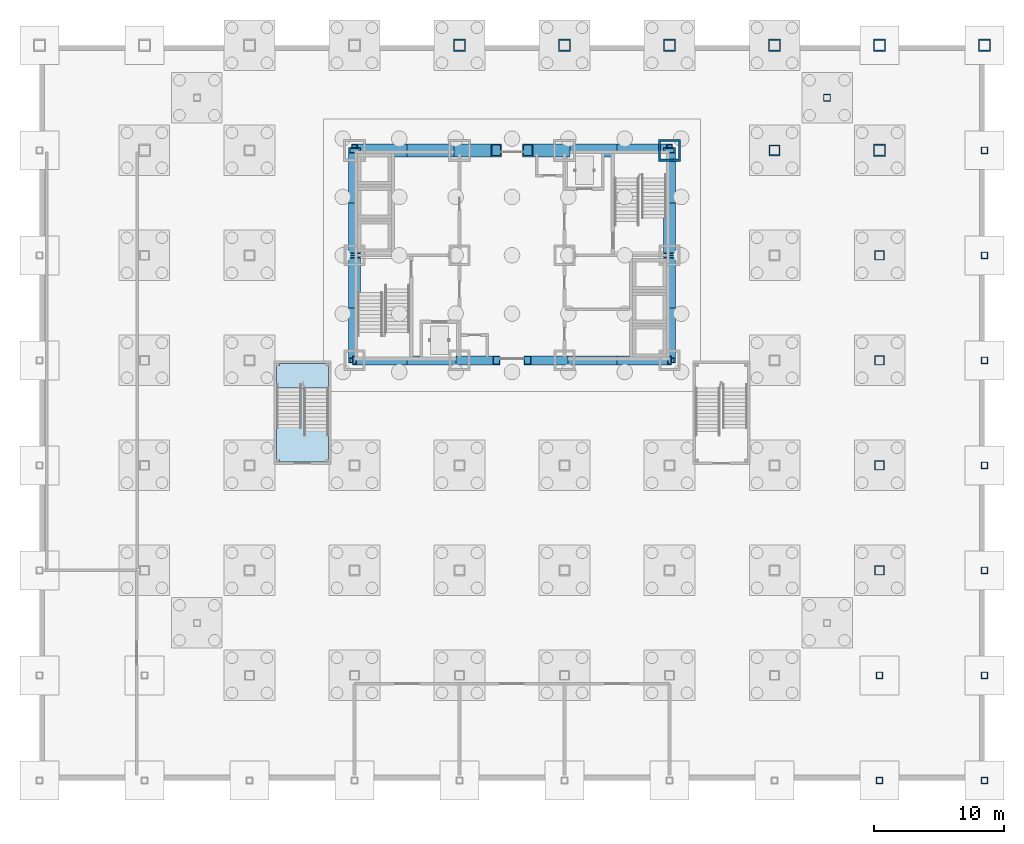
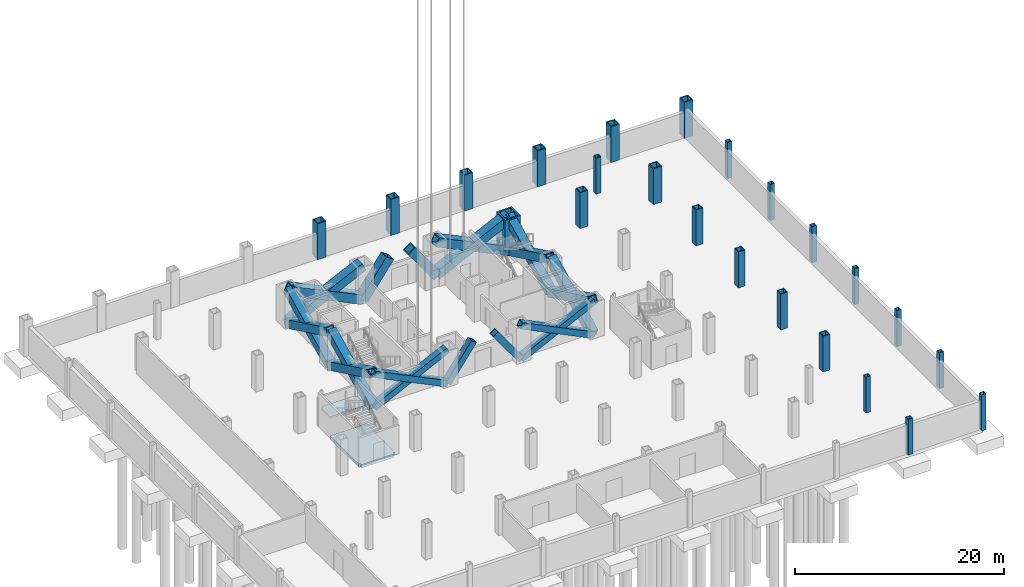
# One storey, part 10 of 17: 23 columns, 20 members, 2 slabs, 1 element without a shape of its own.
"""IFC4 building model written with IfcOpenShell, lengths in metres."""

from ifc_helpers import new_model, si_unit, direction, frame, origin, origin_2d, place, context, subcontext, project, spatial, polyline, hollow_rectangle, outline, extrude, material, layer, layer_set, material_profile, profile_set, type_object, element, aggregate, save


model = new_model("IFC4")

# Units and contexts
model_context = context("Model", 3, precision=1e-05, world=origin(), true_north=direction((0.0, 1.0)))
body_context = subcontext(model_context, "Body", "Model", "MODEL_VIEW")
ifc_project = project(units=[si_unit("LENGTHUNIT", "METRE"), si_unit("AREAUNIT", "SQUARE_METRE"), si_unit("VOLUMEUNIT", "CUBIC_METRE"), si_unit("PLANEANGLEUNIT", "RADIAN"), si_unit("MASSUNIT", "GRAM", prefix="KILO")], contexts=[model_context])

# Site, building, storey
site_placement = place(None, origin())
site = spatial("IfcSite", under=ifc_project, at=site_placement, CompositionType="ELEMENT")
building_placement = place(site_placement, origin())
building = spatial("IfcBuilding", under=site, at=building_placement, Name="Kopane Lantern Tower", CompositionType="ELEMENT")
storey_placement = place(building_placement, frame((0.0, 0.0, -8.39990234375)))
storey = spatial("IfcBuildingStorey", under=building, at=storey_placement, Name="L-02", CompositionType="ELEMENT", Elevation=-8.39990234375)

# Columns
ifc_material_1 = material(Name="Steel S355JR", Category="steel")
ifc_material_profile_1 = material_profile(ifc_material_1, hollow_rectangle(XDim=1.699951171875, YDim=1.699951171875, WallThickness=0.159912109375, at=origin_2d()), Name="BOX 1700x1700x160")
ifc_profile_set_1 = profile_set([ifc_material_profile_1], Name="Steel S355JR")
column_type_1 = type_object("IfcColumnType", Name="COLUMN BOX 1700x1700x160", PredefinedType="COLUMN", material=ifc_profile_set_1)
column_1_placement = place(storey_placement, frame((40.5, 40.5, 0.0), z_axis=(0.0, 0.0, 1.0), x_axis=(1.0, 0.0, 0.0)))
element("IfcColumn", 1, at=column_1_placement, inside=storey, type_object=column_type_1, Name="Column 7/G L-02", PredefinedType="COLUMN", context=body_context, shape_type="SweptSolid", body=[
    extrude(hollow_rectangle(XDim=1.699951171875, YDim=1.699951171875, WallThickness=0.159912109375, at=origin_2d()), origin(), (0.0, 0.0, 1.0), 4.199951171875),
])
ifc_material_2 = material(Name="Steel S355JR", Category="steel")
ifc_material_profile_2 = material_profile(ifc_material_2, hollow_rectangle(XDim=0.5, YDim=0.5, WallThickness=0.030029296875, at=origin_2d()), Name="BOX 500x500x30")
ifc_profile_set_2 = profile_set([ifc_material_profile_2], Name="Steel S355JR")
column_type_2 = type_object("IfcColumnType", Name="COLUMN BOX 500x500x30", PredefinedType="COLUMN", material=ifc_profile_set_2)
for number, where, z_axis, x_axis, name in (
    (2, (56.699951171875, -8.10009765625, 0.0), (0.0, 0.0, 1.0), (1.0, 0.0, 0.0), "Column 9/A L-02"),
    (3, (56.699951171875, 0.0, 0.0), (0.0, 0.0, 1.0), (1.0, 0.0, 0.0), "Column 9/B L-02"),
    (4, (64.800048828125, -8.10009765625, 0.0), (0.0, 0.0, 1.0), (1.0, 0.0, 0.0), "Column 10/A L-02"),
    (5, (64.800048828125, 0.0, 0.0), (0.0, 0.0, 1.0), (1.0, 0.0, 0.0), "Column 10/B L-02"),
    (6, (64.800048828125, 8.10009765625, 0.0), (0.0, 0.0, 1.0), (1.0, 0.0, 0.0), "Column 10/C L-02"),
    (7, (64.800048828125, 16.199951171875, 0.0), (0.0, 0.0, 1.0), (1.0, 0.0, 0.0), "Column 10/D L-02"),
    (8, (64.800048828125, 24.300048828125, 0.0), (0.0, 0.0, 1.0), (1.0, 0.0, 0.0), "Column 10/E L-02"),
    (9, (64.800048828125, 32.39990234375, 0.0), (0.0, 0.0, 1.0), (1.0, 0.0, 0.0), "Column 10/F L-02"),
    (10, (64.800048828125, 40.5, 0.0), (0.0, 0.0, 1.0), (1.0, 0.0, 0.0), "Column 10/G L-02"),
):
    element("IfcColumn", number, at=place(storey_placement, frame(where, z_axis=z_axis, x_axis=x_axis)), inside=storey, type_object=column_type_2, Name=name, PredefinedType="COLUMN", context=body_context, shape_type="SweptSolid", body=[
        extrude(hollow_rectangle(XDim=0.5, YDim=0.5, WallThickness=0.030029296875, at=origin_2d()), origin(), (0.0, 0.0, 1.0), 4.199951171875),
    ])
ifc_material_3 = material(Name="Steel S355JR", Category="steel")
ifc_material_profile_3 = material_profile(ifc_material_3, hollow_rectangle(XDim=0.550048828125, YDim=0.550048828125, WallThickness=0.050048828125, at=origin_2d()), Name="BOX 550x550x50")
ifc_profile_set_3 = profile_set([ifc_material_profile_3], Name="Steel S355JR")
column_type_3 = type_object("IfcColumnType", Name="COLUMN BOX 550x550x50", PredefinedType="COLUMN", material=ifc_profile_set_3)
column_2_placement = place(storey_placement, frame((52.64990234375, 44.550048828125, 0.0), z_axis=(0.0, 0.0, 1.0), x_axis=(1.0, 0.0, 0.0)))
element("IfcColumn", 11, at=column_2_placement, inside=storey, type_object=column_type_3, Name="Column 52.65/44.55 L-02", PredefinedType="COLUMN", context=body_context, shape_type="SweptSolid", body=[
    extrude(hollow_rectangle(XDim=0.550048828125, YDim=0.550048828125, WallThickness=0.050048828125, at=origin_2d()), origin(), (0.0, 0.0, 1.0), 4.199951171875),
])
ifc_material_4 = material(Name="Steel S355JR", Category="steel")
ifc_material_profile_4 = material_profile(ifc_material_4, hollow_rectangle(XDim=0.75, YDim=0.75, WallThickness=0.070068359375, at=origin_2d()), Name="BOX 750x750x70")
ifc_profile_set_4 = profile_set([ifc_material_profile_4], Name="Steel S355JR")
column_type_4 = type_object("IfcColumnType", Name="COLUMN BOX 750x750x70", PredefinedType="COLUMN", material=ifc_profile_set_4)
for number, where, z_axis, x_axis, name in (
    (12, (56.699951171875, 8.10009765625, 0.0), (0.0, 0.0, 1.0), (1.0, 0.0, 0.0), "Column 9/C L-02"),
    (13, (56.699951171875, 16.199951171875, 0.0), (0.0, 0.0, 1.0), (1.0, 0.0, 0.0), "Column 9/D L-02"),
    (14, (56.699951171875, 24.300048828125, 0.0), (0.0, 0.0, 1.0), (1.0, 0.0, 0.0), "Column 9/E L-02"),
    (15, (56.699951171875, 32.39990234375, 0.0), (0.0, 0.0, 1.0), (1.0, 0.0, 0.0), "Column 9/F L-02"),
):
    element("IfcColumn", number, at=place(storey_placement, frame(where, z_axis=z_axis, x_axis=x_axis)), inside=storey, type_object=column_type_4, Name=name, PredefinedType="COLUMN", context=body_context, shape_type="SweptSolid", body=[
        extrude(hollow_rectangle(XDim=0.75, YDim=0.75, WallThickness=0.070068359375, at=origin_2d()), origin(), (0.0, 0.0, 1.0), 4.199951171875),
    ])
ifc_material_5 = material(Name="Steel S355JR", Category="steel")
ifc_material_profile_5 = material_profile(ifc_material_5, hollow_rectangle(XDim=0.85009765625, YDim=0.85009765625, WallThickness=0.0849609375, at=origin_2d()), Name="BOX 850x850x85")
ifc_profile_set_5 = profile_set([ifc_material_profile_5], Name="Steel S355JR")
column_type_5 = type_object("IfcColumnType", Name="COLUMN BOX 850x850x85", PredefinedType="COLUMN", material=ifc_profile_set_5)
column_3_placement = place(storey_placement, frame((48.60009765625, 40.5, 0.0), z_axis=(0.0, 0.0, 1.0), x_axis=(1.0, 0.0, 0.0)))
element("IfcColumn", 16, at=column_3_placement, inside=storey, type_object=column_type_5, Name="Column 8/G L-02", PredefinedType="COLUMN", context=body_context, shape_type="SweptSolid", body=[
    extrude(hollow_rectangle(XDim=0.85009765625, YDim=0.85009765625, WallThickness=0.0849609375, at=origin_2d()), origin(), (0.0, 0.0, 1.0), 4.199951171875),
])
ifc_material_6 = material(Name="Steel S355JR", Category="steel")
ifc_material_profile_6 = material_profile(ifc_material_6, hollow_rectangle(XDim=0.949951171875, YDim=0.949951171875, WallThickness=0.10009765625, at=origin_2d()), Name="BOX 950x950x100")
ifc_profile_set_6 = profile_set([ifc_material_profile_6], Name="Steel S355JR")
column_type_6 = type_object("IfcColumnType", Name="COLUMN BOX 950x950x100", PredefinedType="COLUMN", material=ifc_profile_set_6)
for number, where, z_axis, x_axis, name in (
    (17, (24.300048828125, 48.60009765625, 0.0), (0.0, 0.0, 1.0), (1.0, 0.0, 0.0), "Column 5/H L-02"),
    (18, (32.39990234375, 48.60009765625, 0.0), (0.0, 0.0, 1.0), (1.0, 0.0, 0.0), "Column 6/H L-02"),
    (19, (40.5, 48.60009765625, 0.0), (0.0, 0.0, 1.0), (1.0, 0.0, 0.0), "Column 7/H L-02"),
    (20, (48.60009765625, 48.60009765625, 0.0), (0.0, 0.0, 1.0), (1.0, 0.0, 0.0), "Column 8/H L-02"),
    (21, (56.699951171875, 40.5, 0.0), (0.0, 0.0, 1.0), (1.0, 0.0, 0.0), "Column 9/G L-02"),
    (22, (56.699951171875, 48.60009765625, 0.0), (0.0, 0.0, 1.0), (1.0, 0.0, 0.0), "Column 9/H L-02"),
    (23, (64.800048828125, 48.60009765625, 0.0), (0.0, 0.0, 1.0), (1.0, 0.0, 0.0), "Column 10/H L-02"),
):
    element("IfcColumn", number, at=place(storey_placement, frame(where, z_axis=z_axis, x_axis=x_axis)), inside=storey, type_object=column_type_6, Name=name, PredefinedType="COLUMN", context=body_context, shape_type="SweptSolid", body=[
        extrude(hollow_rectangle(XDim=0.949951171875, YDim=0.949951171875, WallThickness=0.10009765625, at=origin_2d()), origin(), (0.0, 0.0, 1.0), 4.199951171875),
    ])

# Members
ifc_material_7 = material(Name="Steel S355JR", Category="steel")
ifc_material_profile_7 = material_profile(ifc_material_7, hollow_rectangle(XDim=1.0, YDim=1.0, WallThickness=0.10009765625, at=origin_2d()), Name="BOX 1000x1000x100")
ifc_profile_set_7 = profile_set([ifc_material_profile_7], Name="Steel S355JR")
member_type_1 = type_object("IfcMemberType", Name="BRACE BOX 1000x1000x100", PredefinedType="BRACE", material=ifc_profile_set_7)
for number, where, z_axis, x_axis, name in (
    (24, (16.199951171875, 40.5, 0.0693359375), (0.901845597752, 0.0, 0.432058465738), (0.0, 1.0, 0.0), "Core brace L-02"),
    (25, (24.300048828125, 40.5, 0.0693359375), (-0.901845597752, 0.0, 0.432058465738), (0.0, -1.0, 0.0), "Core brace L-02"),
):
    element("IfcMember", number, at=place(storey_placement, frame(where, z_axis=z_axis, x_axis=x_axis)), inside=storey, type_object=member_type_1, Name=name, PredefinedType="BRACE", context=body_context, shape_type="SweptSolid", body=[
        extrude(hollow_rectangle(XDim=1.0, YDim=1.0, WallThickness=0.10009765625, at=origin_2d()), origin(), (0.0, 0.0, 1.0), 8.981689453125),
    ])
for number, where, z_axis, x_axis, name in (
    (26, (24.300048828125, 40.5, 0.0), (0.585100675865, 0.0, 0.810960664338), (0.0, 1.0, 0.0), "Core brace L-02"),
    (27, (32.39990234375, 40.5, 0.0), (-0.585100675865, 0.0, 0.810960664338), (0.0, -1.0, 0.0), "Core brace L-02"),
):
    element("IfcMember", number, at=place(storey_placement, frame(where, z_axis=z_axis, x_axis=x_axis)), inside=storey, type_object=member_type_1, Name=name, PredefinedType="BRACE", context=body_context, shape_type="SweptSolid", body=[
        extrude(hollow_rectangle(XDim=1.0, YDim=1.0, WallThickness=0.10009765625, at=origin_2d()), origin(), (0.0, 0.0, 1.0), 4.87060546875),
    ])
for number, where, z_axis, x_axis, name in (
    (28, (32.39990234375, 40.5, 0.0693359375), (0.901845597752, 0.0, 0.432058465738), (0.0, 1.0, 0.0), "Core brace L-02"),
    (29, (40.5, 40.5, 0.0693359375), (-0.901845597752, 0.0, 0.432058465738), (0.0, -1.0, 0.0), "Core brace L-02"),
):
    element("IfcMember", number, at=place(storey_placement, frame(where, z_axis=z_axis, x_axis=x_axis)), inside=storey, type_object=member_type_1, Name=name, PredefinedType="BRACE", context=body_context, shape_type="SweptSolid", body=[
        extrude(hollow_rectangle(XDim=1.0, YDim=1.0, WallThickness=0.10009765625, at=origin_2d()), origin(), (0.0, 0.0, 1.0), 8.981689453125),
    ])
ifc_material_8 = material(Name="Steel S355JR", Category="steel")
ifc_material_profile_8 = material_profile(ifc_material_8, hollow_rectangle(XDim=0.699951171875, YDim=0.699951171875, WallThickness=0.06005859375, at=origin_2d()), Name="BOX 700x700x60")
ifc_profile_set_8 = profile_set([ifc_material_profile_8], Name="Steel S355JR")
member_type_2 = type_object("IfcMemberType", Name="BRACE BOX 700x700x60", PredefinedType="BRACE", material=ifc_profile_set_8)
for number, where, z_axis, x_axis, name in (
    (30, (16.199951171875, 24.300048828125, 0.0), (0.898825978664, 0.0, 0.438305669685), (0.0, 1.0, 0.0), "Core brace L-02"),
    (31, (24.300048828125, 24.300048828125, 0.0), (-0.898825978664, 0.0, 0.438305669685), (0.0, -1.0, 0.0), "Core brace L-02"),
):
    element("IfcMember", number, at=place(storey_placement, frame(where, z_axis=z_axis, x_axis=x_axis)), inside=storey, type_object=member_type_2, Name=name, PredefinedType="BRACE", context=body_context, shape_type="SweptSolid", body=[
        extrude(hollow_rectangle(XDim=0.699951171875, YDim=0.699951171875, WallThickness=0.06005859375, at=origin_2d()), origin(), (0.0, 0.0, 1.0), 9.011962890625),
    ])
for number, where, z_axis, x_axis, name in (
    (32, (24.300048828125, 24.300048828125, 0.0), (0.585100675865, 0.0, 0.810960664338), (0.0, 1.0, 0.0), "Core brace L-02"),
    (33, (32.39990234375, 24.300048828125, 0.0), (-0.585100675865, 0.0, 0.810960664338), (0.0, -1.0, 0.0), "Core brace L-02"),
):
    element("IfcMember", number, at=place(storey_placement, frame(where, z_axis=z_axis, x_axis=x_axis)), inside=storey, type_object=member_type_2, Name=name, PredefinedType="BRACE", context=body_context, shape_type="SweptSolid", body=[
        extrude(hollow_rectangle(XDim=0.699951171875, YDim=0.699951171875, WallThickness=0.06005859375, at=origin_2d()), origin(), (0.0, 0.0, 1.0), 4.87060546875),
    ])
for number, where, z_axis, x_axis, name in (
    (34, (32.39990234375, 24.300048828125, 0.0), (0.898825978664, 0.0, 0.438305669685), (0.0, 1.0, 0.0), "Core brace L-02"),
    (35, (40.5, 24.300048828125, 0.0), (-0.898825978664, 0.0, 0.438305669685), (0.0, -1.0, 0.0), "Core brace L-02"),
):
    element("IfcMember", number, at=place(storey_placement, frame(where, z_axis=z_axis, x_axis=x_axis)), inside=storey, type_object=member_type_2, Name=name, PredefinedType="BRACE", context=body_context, shape_type="SweptSolid", body=[
        extrude(hollow_rectangle(XDim=0.699951171875, YDim=0.699951171875, WallThickness=0.06005859375, at=origin_2d()), origin(), (0.0, 0.0, 1.0), 9.011962890625),
    ])
ifc_material_9 = material(Name="Steel S355JR", Category="steel")
ifc_material_profile_9 = material_profile(ifc_material_9, hollow_rectangle(XDim=0.89990234375, YDim=0.89990234375, WallThickness=0.090087890625, at=origin_2d()), Name="BOX 900x900x90")
ifc_profile_set_9 = profile_set([ifc_material_profile_9], Name="Steel S355JR")
member_type_3 = type_object("IfcMemberType", Name="BRACE BOX 900x900x90", PredefinedType="BRACE", material=ifc_profile_set_9)
for number, where, z_axis, x_axis, name in (
    (36, (16.199951171875, 24.300048828125, 0.0244140625), (0.0, 0.899886693787, 0.43612376494), (-1.0, 0.0, 0.0), "Core brace L-02"),
    (37, (16.199951171875, 32.39990234375, 0.0244140625), (0.0, -0.899886693787, 0.43612376494), (1.0, 0.0, 0.0), "Core brace L-02"),
):
    element("IfcMember", number, at=place(storey_placement, frame(where, z_axis=z_axis, x_axis=x_axis)), inside=storey, type_object=member_type_3, Name=name, PredefinedType="BRACE", context=body_context, shape_type="SweptSolid", body=[
        extrude(hollow_rectangle(XDim=0.89990234375, YDim=0.89990234375, WallThickness=0.090087890625, at=origin_2d()), origin(), (0.0, 0.0, 1.0), 9.0009765625),
    ])
for number, where, z_axis, x_axis, name in (
    (38, (16.199951171875, 32.39990234375, 0.0244140625), (0.0, 0.899891852654, 0.436113120104), (-1.0, 0.0, 0.0), "Core brace L-02"),
    (39, (16.199951171875, 40.5, 0.0244140625), (0.0, -0.899891852654, 0.436113120104), (1.0, 0.0, 0.0), "Core brace L-02"),
):
    element("IfcMember", number, at=place(storey_placement, frame(where, z_axis=z_axis, x_axis=x_axis)), inside=storey, type_object=member_type_3, Name=name, PredefinedType="BRACE", context=body_context, shape_type="SweptSolid", body=[
        extrude(hollow_rectangle(XDim=0.89990234375, YDim=0.89990234375, WallThickness=0.090087890625, at=origin_2d()), origin(), (0.0, 0.0, 1.0), 9.001220703125),
    ])
for number, where, z_axis, x_axis, name in (
    (40, (40.5, 24.300048828125, 0.0244140625), (0.0, 0.899886693787, 0.43612376494), (-1.0, 0.0, 0.0), "Core brace L-02"),
    (41, (40.5, 32.39990234375, 0.0244140625), (0.0, -0.899886693787, 0.43612376494), (1.0, 0.0, 0.0), "Core brace L-02"),
):
    element("IfcMember", number, at=place(storey_placement, frame(where, z_axis=z_axis, x_axis=x_axis)), inside=storey, type_object=member_type_3, Name=name, PredefinedType="BRACE", context=body_context, shape_type="SweptSolid", body=[
        extrude(hollow_rectangle(XDim=0.89990234375, YDim=0.89990234375, WallThickness=0.090087890625, at=origin_2d()), origin(), (0.0, 0.0, 1.0), 9.0009765625),
    ])
for number, where, z_axis, x_axis, name in (
    (42, (40.5, 32.39990234375, 0.0244140625), (0.0, 0.899891852654, 0.436113120104), (-1.0, 0.0, 0.0), "Core brace L-02"),
    (43, (40.5, 40.5, 0.0244140625), (0.0, -0.899891852654, 0.436113120104), (1.0, 0.0, 0.0), "Core brace L-02"),
):
    element("IfcMember", number, at=place(storey_placement, frame(where, z_axis=z_axis, x_axis=x_axis)), inside=storey, type_object=member_type_3, Name=name, PredefinedType="BRACE", context=body_context, shape_type="SweptSolid", body=[
        extrude(hollow_rectangle(XDim=0.89990234375, YDim=0.89990234375, WallThickness=0.090087890625, at=origin_2d()), origin(), (0.0, 0.0, 1.0), 9.001220703125),
    ])

# Stair, slabs
ifc_material_10 = material(Name="Steel S355JR", Category="steel")
stair_type = type_object("IfcStairType", Name="EXIT STAIR 1900 HALF TURN", PredefinedType="HALF_TURN_STAIR", material=ifc_material_10)
stair_placement = place(storey_placement, origin())
stair = element("IfcStair", 44, at=stair_placement, inside=storey, type_object=stair_type, Name="Exit stair ST3 L-02", PredefinedType="HALF_TURN_STAIR")
ifc_material_11 = material(Name="Concrete C40/50", Category="concrete")
ifc_layer_1 = layer(ifc_material_11, 0.39990234375)
ifc_layer_set_1 = layer_set([ifc_layer_1], Name="STAIR BASE LANDING 400")
slab_type_1 = type_object("IfcSlabType", Name="STAIR BASE LANDING 400", PredefinedType="LANDING", material=ifc_layer_set_1)
slab_1_placement = place(storey_placement, frame((0.0, 0.0, -0.400146484375)))
slab_1 = element("IfcSlab", 45, at=slab_1_placement, type_object=slab_type_1, Name="ST3 landing 1", PredefinedType="LANDING", context=body_context, shape_type="SweptSolid", body=[
    extrude(outline(polyline([(14.199951171875, 16.64990234375), (14.199951171875, 22.14990234375), (10.199951171875, 22.14990234375), (10.199951171875, 16.64990234375), (10.39990234375, 16.64990234375), (10.39990234375, 16.449951171875), (14.0, 16.449951171875), (14.0, 16.64990234375), (14.199951171875, 16.64990234375)])), origin(), (0.0, 0.0, 1.0), 0.400146484375),
])
ifc_material_12 = material(Name="Concrete C40/50", Category="concrete")
ifc_layer_2 = layer(ifc_material_12, 0.199951171875)
ifc_layer_set_2 = layer_set([ifc_layer_2], Name="STAIR LANDING 200")
slab_type_2 = type_object("IfcSlabType", Name="STAIR LANDING 200", PredefinedType="LANDING", material=ifc_layer_set_2)
slab_2_placement = place(storey_placement, frame((0.0, 0.0, 1.98388671875)))
slab_2 = element("IfcSlab", 46, at=slab_2_placement, type_object=slab_type_2, Name="ST3 landing 2", PredefinedType="LANDING", context=body_context, shape_type="SweptSolid", body=[
    extrude(outline(polyline([(10.39990234375, 23.85009765625), (10.199951171875, 23.85009765625), (10.199951171875, 22.14990234375), (12.10009765625, 22.14990234375), (12.10009765625, 22.429931640625), (12.300048828125, 22.429931640625), (12.300048828125, 22.14990234375), (14.199951171875, 22.14990234375), (14.199951171875, 23.85009765625), (14.0, 23.85009765625), (14.0, 24.050048828125), (10.39990234375, 24.050048828125), (10.39990234375, 23.85009765625)])), origin(), (0.0, 0.0, 1.0), 0.199951171875),
])
aggregate(stair, [slab_1, slab_2])

save(model, "model.ifc")
